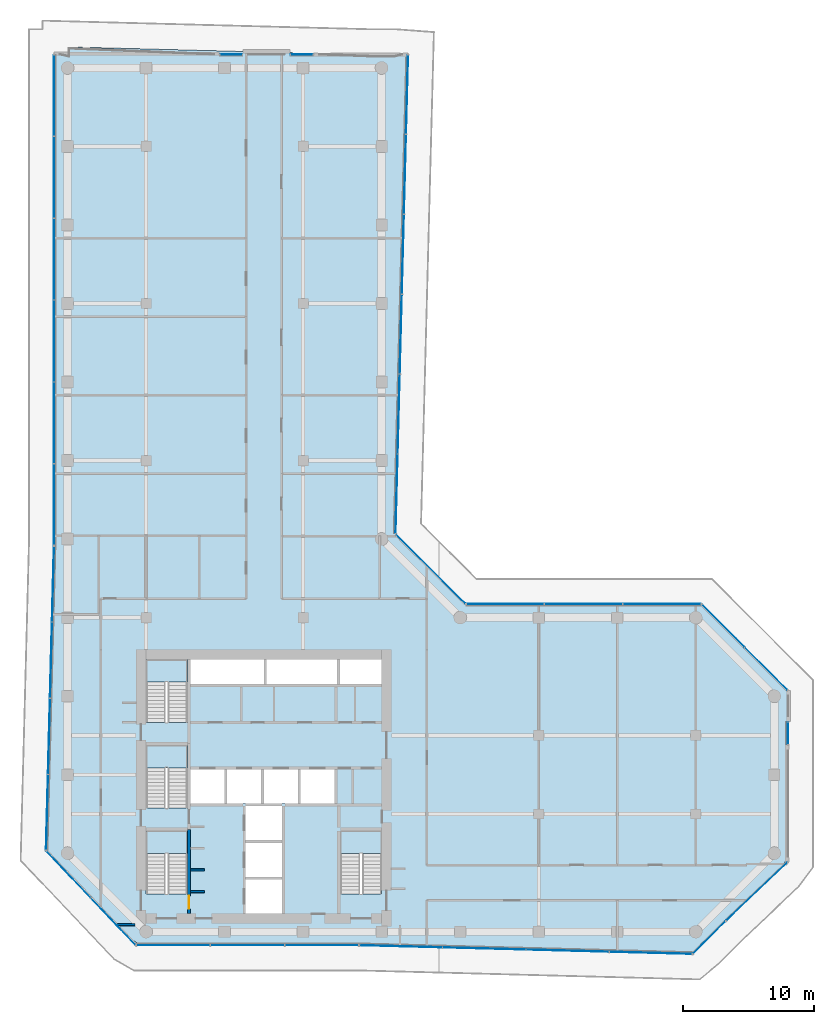
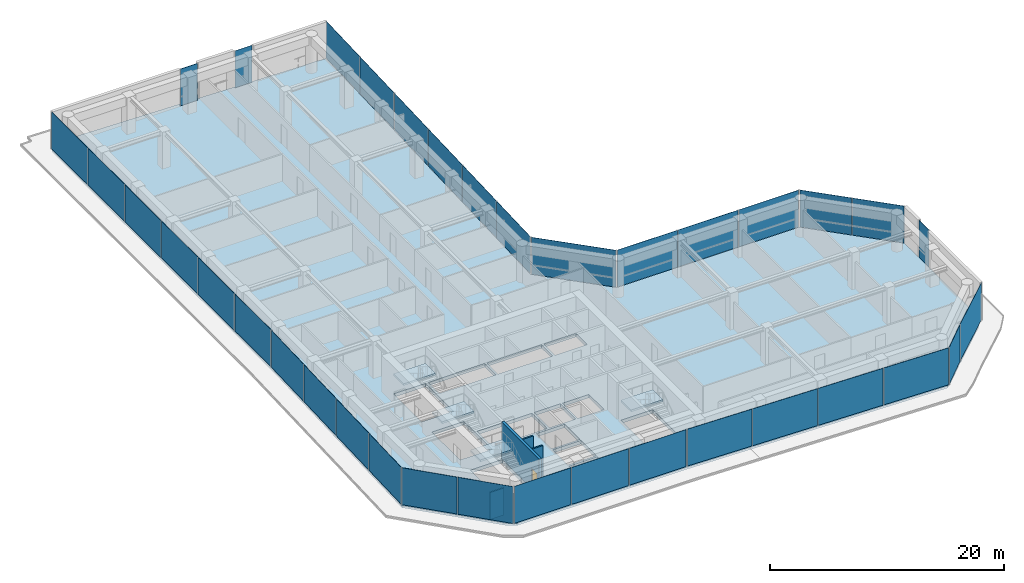
# One storey, part 17 of 23: 36 plates, 5 slabs, 4 walls, 1 door, 1 opening, 18 elements without a shape of their own.
"""IFC4 building model written with IfcOpenShell, lengths in metres."""

from ifc_helpers import new_model, si_unit, direction, frame, frame_2d, origin, origin_2d, place, context, subcontext, project, spatial, polyline, rectangle, outline, extrude, material, layer, layer_set, type_object, element, fill, aggregate, save


model = new_model("IFC4")

# Units and contexts
model_context = context("Model", 3, precision=1e-05, world=origin(), true_north=direction((0.0, 1.0)))
body_context = subcontext(model_context, "Body", "Model", "MODEL_VIEW")
ifc_project = project(units=[si_unit("LENGTHUNIT", "METRE"), si_unit("AREAUNIT", "SQUARE_METRE"), si_unit("VOLUMEUNIT", "CUBIC_METRE"), si_unit("PLANEANGLEUNIT", "RADIAN"), si_unit("MASSUNIT", "GRAM", prefix="KILO")], contexts=[model_context])

# Site, building, storey
site_placement = place(None, origin())
site = spatial("IfcSite", under=ifc_project, at=site_placement, CompositionType="ELEMENT")
building_placement = place(site_placement, origin())
building = spatial("IfcBuilding", under=site, at=building_placement, Name="Welwitschia Terrace Campus", CompositionType="ELEMENT")
storey_placement = place(building_placement, frame((0.0, 0.0, 117.199951171875)))
storey = spatial("IfcBuildingStorey", under=building, at=storey_placement, Name="L26", CompositionType="ELEMENT", Elevation=117.199951171875)

# Curtain wall, plates
ifc_material_1 = material(Name="Bronze anodised aluminium", Category="aluminium")
ifc_layer_1 = layer(ifc_material_1, 0.1201171875)
ifc_layer_set_1 = layer_set([ifc_layer_1], Name="Bronze anodised aluminium")
curtain_wall_type = type_object("IfcCurtainWallType", Name="Curtain wall CW2 tower 6000", PredefinedType="NOTDEFINED", material=ifc_layer_set_1)
curtain_wall_1_placement = place(storey_placement, origin())
curtain_wall_1 = element("IfcCurtainWall", 1, at=curtain_wall_1_placement, inside=storey, type_object=curtain_wall_type, Name="CW L26.0.0", PredefinedType="NOTDEFINED")
ifc_material_2 = material(Name="Tinted bronze-grey glass", Category="glass")
ifc_layer_2 = layer(ifc_material_2, 0.028076171875)
ifc_layer_set_2 = layer_set([ifc_layer_2], Name="Tinted bronze-grey glass")
plate_type = type_object("IfcPlateType", Name="Glass panel 28 tinted", PredefinedType="CURTAIN_PANEL", material=ifc_layer_set_2)
plate_1_placement = place(storey_placement, frame((-1.106689453125, 30.564453125, 0.0), z_axis=(0.0, 0.0, 1.0), x_axis=(-0.026176948308, -0.999657324976, 0.0)))
plate_1 = element("IfcPlate", 2, at=plate_1_placement, type_object=plate_type, Name="Panel L26.0.0.0", PredefinedType="CURTAIN_PANEL", context=body_context, shape_type="SweptSolid", body=[
    extrude(rectangle(XDim=5.734130859375, YDim=0.028076171875, at=origin_2d()), origin(), (0.0, 0.0, 1.0), 3.85009765625),
])
plate_2_placement = place(storey_placement, frame((-1.2587890625, 24.75732421875, 0.0), z_axis=(0.0, 0.0, 1.0), x_axis=(-0.026176948308, -0.999657324976, 0.0)))
plate_2 = element("IfcPlate", 3, at=plate_2_placement, type_object=plate_type, Name="Panel L26.0.0.1", PredefinedType="CURTAIN_PANEL", context=body_context, shape_type="SweptSolid", body=[
    extrude(rectangle(XDim=5.76416015625, YDim=0.028076171875, at=origin_2d()), origin(), (0.0, 0.0, 1.0), 3.85009765625),
])
plate_3_placement = place(storey_placement, frame((-1.4111328125, 18.935302734375, 0.0), z_axis=(0.0, 0.0, 1.0), x_axis=(-0.026176948308, -0.999657324976, 0.0)))
plate_3 = element("IfcPlate", 4, at=plate_3_placement, type_object=plate_type, Name="Panel L26.0.0.2", PredefinedType="CURTAIN_PANEL", context=body_context, shape_type="SweptSolid", body=[
    extrude(rectangle(XDim=5.76416015625, YDim=0.028076171875, at=origin_2d()), origin(), (0.0, 0.0, 1.0), 3.85009765625),
])
plate_4_placement = place(storey_placement, frame((-1.563232421875, 13.128173828125, 0.0), z_axis=(0.0, 0.0, 1.0), x_axis=(-0.026176948308, -0.999657324976, 0.0)))
plate_4 = element("IfcPlate", 5, at=plate_4_placement, type_object=plate_type, Name="Panel L26.0.0.3", PredefinedType="CURTAIN_PANEL", context=body_context, shape_type="SweptSolid", body=[
    extrude(rectangle(XDim=5.734130859375, YDim=0.028076171875, at=origin_2d()), origin(), (0.0, 0.0, 1.0), 3.85009765625),
])
aggregate(curtain_wall_1, [plate_1, plate_2, plate_3, plate_4])

curtain_wall_2_placement = place(storey_placement, origin())
curtain_wall_2 = element("IfcCurtainWall", 6, at=curtain_wall_2_placement, inside=storey, type_object=curtain_wall_type, Name="CW L26.1.0", PredefinedType="NOTDEFINED")
plate_5_placement = place(storey_placement, frame((0.086181640625, 8.383056640625, 0.0), z_axis=(0.0, 0.0, 1.0), x_axis=(0.688354575694, -0.725374371012, 0.0)))
plate_5 = element("IfcPlate", 7, at=plate_5_placement, type_object=plate_type, Name="Panel L26.1.0.0", PredefinedType="CURTAIN_PANEL", context=body_context, shape_type="SweptSolid", body=[
    extrude(rectangle(XDim=4.89501953125, YDim=0.028076171875, at=origin_2d()), origin(), (0.0, 0.0, 1.0), 3.85009765625),
])
plate_6_placement = place(storey_placement, frame((3.4970703125, 4.788818359375, 0.0), z_axis=(0.0, 0.0, 1.0), x_axis=(0.688354575694, -0.725374371012, 0.0)))
plate_6 = element("IfcPlate", 8, at=plate_6_placement, type_object=plate_type, Name="Panel L26.1.0.1", PredefinedType="CURTAIN_PANEL", context=body_context, shape_type="SweptSolid", body=[
    extrude(rectangle(XDim=4.89501953125, YDim=0.028076171875, at=origin_2d()), origin(), (0.0, 0.0, 1.0), 3.85009765625),
])
aggregate(curtain_wall_2, [plate_5, plate_6])

curtain_wall_3_placement = place(storey_placement, origin())
curtain_wall_3 = element("IfcCurtainWall", 9, at=curtain_wall_3_placement, inside=storey, type_object=curtain_wall_type, Name="CW L26.2.0", PredefinedType="NOTDEFINED")
plate_7_placement = place(storey_placement, frame((8.08154296875, 2.969970703125, 0.0), z_axis=(0.0, 0.0, 1.0), x_axis=(1.0, 0.0, 0.0)))
plate_7 = element("IfcPlate", 10, at=plate_7_placement, type_object=plate_type, Name="Panel L26.2.0.0", PredefinedType="CURTAIN_PANEL", context=body_context, shape_type="SweptSolid", body=[
    extrude(rectangle(XDim=5.5966796875, YDim=0.028076171875, at=origin_2d()), origin(), (0.0, 0.0, 1.0), 3.85009765625),
])
plate_8_placement = place(storey_placement, frame((13.753173828125, 2.969970703125, 0.0), z_axis=(0.0, 0.0, 1.0), x_axis=(1.0, 0.0, 0.0)))
plate_8 = element("IfcPlate", 11, at=plate_8_placement, type_object=plate_type, Name="Panel L26.2.0.1", PredefinedType="CURTAIN_PANEL", context=body_context, shape_type="SweptSolid", body=[
    extrude(rectangle(XDim=5.626708984375, YDim=0.028076171875, at=origin_2d()), origin(), (0.0, 0.0, 1.0), 3.85009765625),
])
plate_9_placement = place(storey_placement, frame((19.425048828125, 2.969970703125, 0.0), z_axis=(0.0, 0.0, 1.0), x_axis=(1.0, 0.0, 0.0)))
plate_9 = element("IfcPlate", 12, at=plate_9_placement, type_object=plate_type, Name="Panel L26.2.0.2", PredefinedType="CURTAIN_PANEL", context=body_context, shape_type="SweptSolid", body=[
    extrude(rectangle(XDim=5.5966796875, YDim=0.028076171875, at=origin_2d()), origin(), (0.0, 0.0, 1.0), 3.85009765625),
])
aggregate(curtain_wall_3, [plate_7, plate_8, plate_9])

curtain_wall_4_placement = place(storey_placement, origin())
curtain_wall_4 = element("IfcCurtainWall", 13, at=curtain_wall_4_placement, inside=storey, type_object=curtain_wall_type, Name="CW L26.3.0", PredefinedType="NOTDEFINED")
plate_10_placement = place(storey_placement, frame((25.48291015625, 2.88623046875, 0.0), z_axis=(0.0, 0.0, 1.0), x_axis=(0.999657324976, -0.026176948308, 0.0)))
plate_10 = element("IfcPlate", 14, at=plate_10_placement, type_object=plate_type, Name="Panel L26.3.0.0", PredefinedType="CURTAIN_PANEL", context=body_context, shape_type="SweptSolid", body=[
    extrude(rectangle(XDim=6.28125, YDim=0.028076171875, at=origin_2d()), origin(), (0.0, 0.0, 1.0), 3.85009765625),
])
plate_11_placement = place(storey_placement, frame((31.8369140625, 2.7197265625, 0.0), z_axis=(0.0, 0.0, 1.0), x_axis=(0.999657324976, -0.026176948308, 0.0)))
plate_11 = element("IfcPlate", 15, at=plate_11_placement, type_object=plate_type, Name="Panel L26.3.0.1", PredefinedType="CURTAIN_PANEL", context=body_context, shape_type="SweptSolid", body=[
    extrude(rectangle(XDim=6.311279296875, YDim=0.028076171875, at=origin_2d()), origin(), (0.0, 0.0, 1.0), 3.85009765625),
])
plate_12_placement = place(storey_placement, frame((38.2060546875, 2.552978515625, 0.0), z_axis=(0.0, 0.0, 1.0), x_axis=(0.999657324976, -0.026176948308, 0.0)))
plate_12 = element("IfcPlate", 16, at=plate_12_placement, type_object=plate_type, Name="Panel L26.3.0.2", PredefinedType="CURTAIN_PANEL", context=body_context, shape_type="SweptSolid", body=[
    extrude(rectangle(XDim=6.311279296875, YDim=0.028076171875, at=origin_2d()), origin(), (0.0, 0.0, 1.0), 3.85009765625),
])
plate_13_placement = place(storey_placement, frame((44.56005859375, 2.38671875, 0.0), z_axis=(0.0, 0.0, 1.0), x_axis=(0.999657324976, -0.026176948308, 0.0)))
plate_13 = element("IfcPlate", 17, at=plate_13_placement, type_object=plate_type, Name="Panel L26.3.0.3", PredefinedType="CURTAIN_PANEL", context=body_context, shape_type="SweptSolid", body=[
    extrude(rectangle(XDim=6.28125, YDim=0.028076171875, at=origin_2d()), origin(), (0.0, 0.0, 1.0), 3.85009765625),
])
aggregate(curtain_wall_4, [plate_10, plate_11, plate_12, plate_13])

# Curtain wall, plate
curtain_wall_5_placement = place(storey_placement, origin())
curtain_wall_5 = element("IfcCurtainWall", 18, at=curtain_wall_5_placement, inside=storey, type_object=curtain_wall_type, Name="CW L26.4.0", PredefinedType="NOTDEFINED")
plate_14_placement = place(storey_placement, frame((49.025634765625, 3.56884765625, 0.0), z_axis=(0.0, 0.0, 1.0), x_axis=(0.707106781187, 0.707106781187, 0.0)))
plate_14 = element("IfcPlate", 19, at=plate_14_placement, type_object=plate_type, Name="Panel L26.4.0.0", PredefinedType="CURTAIN_PANEL", context=body_context, shape_type="SweptSolid", body=[
    extrude(rectangle(XDim=3.4609375, YDim=0.028076171875, at=origin_2d()), origin(), (0.0, 0.0, 1.0), 3.85009765625),
])
aggregate(curtain_wall_5, [plate_14])

curtain_wall_6_placement = place(storey_placement, origin())
curtain_wall_6 = element("IfcCurtainWall", 20, at=curtain_wall_6_placement, inside=storey, type_object=curtain_wall_type, Name="CW L26.5.0", PredefinedType="NOTDEFINED")
plate_15_placement = place(storey_placement, frame((52.660888671875, 7.083251953125, 0.0), z_axis=(0.0, 0.0, 1.0), x_axis=(0.725374371012, 0.688354575694, 0.0)))
plate_15 = element("IfcPlate", 21, at=plate_15_placement, type_object=plate_type, Name="Panel L26.5.0.0", PredefinedType="CURTAIN_PANEL", context=body_context, shape_type="SweptSolid", body=[
    extrude(rectangle(XDim=6.412353515625, YDim=0.028076171875, at=origin_2d()), origin(), (0.0, 0.0, 1.0), 3.85009765625),
])
aggregate(curtain_wall_6, [plate_15])

curtain_wall_7_placement = place(storey_placement, origin())
curtain_wall_7 = element("IfcCurtainWall", 22, at=curtain_wall_7_placement, inside=storey, type_object=curtain_wall_type, Name="CW L26.6.S0", PredefinedType="NOTDEFINED")
plate_16_placement = place(storey_placement, frame((55.030029296875, 19.15283203125, 0.0), z_axis=(0.0, 0.0, 1.0), x_axis=(0.0, 1.0, 0.0)))
plate_16 = element("IfcPlate", 23, at=plate_16_placement, type_object=plate_type, Name="Panel L26.6.S0.0", PredefinedType="CURTAIN_PANEL", context=body_context, shape_type="SweptSolid", body=[
    extrude(rectangle(XDim=1.679931640625, YDim=0.028076171875, at=origin_2d()), origin(), (0.0, 0.0, 1.0), 3.85009765625),
])
aggregate(curtain_wall_7, [plate_16])

# Curtain wall, plates
curtain_wall_8_placement = place(storey_placement, origin())
curtain_wall_8 = element("IfcCurtainWall", 24, at=curtain_wall_8_placement, inside=storey, type_object=curtain_wall_type, Name="CW L26.7.0", PredefinedType="NOTDEFINED")
plate_17_placement = place(storey_placement, frame((53.36865234375, 24.088134765625, 0.0), z_axis=(0.0, 0.0, 1.0), x_axis=(-0.707106781187, 0.707106781187, 0.0)))
plate_17 = element("IfcPlate", 25, at=plate_17_placement, type_object=plate_type, Name="Panel L26.7.0.0", PredefinedType="CURTAIN_PANEL", context=body_context, shape_type="SweptSolid", body=[
    extrude(rectangle(XDim=4.579345703125, YDim=0.028076171875, at=origin_2d()), origin(), (0.0, 0.0, 1.0), 3.85009765625),
])
plate_18_placement = place(storey_placement, frame((50.088134765625, 27.36865234375, 0.0), z_axis=(0.0, 0.0, 1.0), x_axis=(-0.707106781187, 0.707106781187, 0.0)))
plate_18 = element("IfcPlate", 26, at=plate_18_placement, type_object=plate_type, Name="Panel L26.7.0.1", PredefinedType="CURTAIN_PANEL", context=body_context, shape_type="SweptSolid", body=[
    extrude(rectangle(XDim=4.579345703125, YDim=0.028076171875, at=origin_2d()), origin(), (0.0, 0.0, 1.0), 3.85009765625),
])
aggregate(curtain_wall_8, [plate_17, plate_18])

curtain_wall_9_placement = place(storey_placement, origin())
curtain_wall_9 = element("IfcCurtainWall", 27, at=curtain_wall_9_placement, inside=storey, type_object=curtain_wall_type, Name="CW L26.8.0", PredefinedType="NOTDEFINED")
plate_19_placement = place(storey_placement, frame((45.41162109375, 29.030029296875, 0.0), z_axis=(0.0, 0.0, 1.0), x_axis=(-1.0, 0.0, 0.0)))
plate_19 = element("IfcPlate", 28, at=plate_19_placement, type_object=plate_type, Name="Panel L26.8.0.0", PredefinedType="CURTAIN_PANEL", context=body_context, shape_type="SweptSolid", body=[
    extrude(rectangle(XDim=5.909912109375, YDim=0.028076171875, at=origin_2d()), origin(), (0.0, 0.0, 1.0), 3.85009765625),
])
plate_20_placement = place(storey_placement, frame((39.4267578125, 29.030029296875, 0.0), z_axis=(0.0, 0.0, 1.0), x_axis=(-1.0, 0.0, 0.0)))
plate_20 = element("IfcPlate", 29, at=plate_20_placement, type_object=plate_type, Name="Panel L26.8.0.1", PredefinedType="CURTAIN_PANEL", context=body_context, shape_type="SweptSolid", body=[
    extrude(rectangle(XDim=5.93994140625, YDim=0.028076171875, at=origin_2d()), origin(), (0.0, 0.0, 1.0), 3.85009765625),
])
plate_21_placement = place(storey_placement, frame((33.441650390625, 29.030029296875, 0.0), z_axis=(0.0, 0.0, 1.0), x_axis=(-1.0, 0.0, 0.0)))
plate_21 = element("IfcPlate", 30, at=plate_21_placement, type_object=plate_type, Name="Panel L26.8.0.2", PredefinedType="CURTAIN_PANEL", context=body_context, shape_type="SweptSolid", body=[
    extrude(rectangle(XDim=5.909912109375, YDim=0.028076171875, at=origin_2d()), origin(), (0.0, 0.0, 1.0), 3.85009765625),
])
aggregate(curtain_wall_9, [plate_19, plate_20, plate_21])

# Curtain wall, plate
curtain_wall_10_placement = place(storey_placement, origin())
curtain_wall_10 = element("IfcCurtainWall", 31, at=curtain_wall_10_placement, inside=storey, type_object=curtain_wall_type, Name="CW L26.9.0", PredefinedType="NOTDEFINED")
plate_22_placement = place(storey_placement, frame((27.74462890625, 31.7119140625, 0.0), z_axis=(0.0, 0.0, 1.0), x_axis=(-0.707106781187, 0.707106781187, 0.0)))
plate_22 = element("IfcPlate", 32, at=plate_22_placement, type_object=plate_type, Name="Panel L26.9.0.0", PredefinedType="CURTAIN_PANEL", context=body_context, shape_type="SweptSolid", body=[
    extrude(rectangle(XDim=7.4658203125, YDim=0.028076171875, at=origin_2d()), origin(), (0.0, 0.0, 1.0), 3.85009765625),
])
aggregate(curtain_wall_10, [plate_22])

# Curtain wall, plates
curtain_wall_11_placement = place(storey_placement, origin())
curtain_wall_11 = element("IfcCurtainWall", 33, at=curtain_wall_11_placement, inside=storey, type_object=curtain_wall_type, Name="CW L26.10.0", PredefinedType="NOTDEFINED")
plate_23_placement = place(storey_placement, frame((25.142822265625, 37.462158203125, 0.0), z_axis=(0.0, 0.0, 1.0), x_axis=(0.026176948308, 0.999657324976, 0.0)))
plate_23 = element("IfcPlate", 34, at=plate_23_placement, type_object=plate_type, Name="Panel L26.10.0.0", PredefinedType="CURTAIN_PANEL", context=body_context, shape_type="SweptSolid", body=[
    extrude(rectangle(XDim=6.01806640625, YDim=0.028076171875, at=origin_2d()), origin(), (0.0, 0.0, 1.0), 3.85009765625),
])
plate_24_placement = place(storey_placement, frame((25.302490234375, 43.552978515625, 0.0), z_axis=(0.0, 0.0, 1.0), x_axis=(0.026176948308, 0.999657324976, 0.0)))
plate_24 = element("IfcPlate", 35, at=plate_24_placement, type_object=plate_type, Name="Panel L26.10.0.1", PredefinedType="CURTAIN_PANEL", context=body_context, shape_type="SweptSolid", body=[
    extrude(rectangle(XDim=6.048095703125, YDim=0.028076171875, at=origin_2d()), origin(), (0.0, 0.0, 1.0), 3.85009765625),
])
plate_25_placement = place(storey_placement, frame((25.46240234375, 49.658935546875, 0.0), z_axis=(0.0, 0.0, 1.0), x_axis=(0.026176948308, 0.999657324976, 0.0)))
plate_25 = element("IfcPlate", 36, at=plate_25_placement, type_object=plate_type, Name="Panel L26.10.0.2", PredefinedType="CURTAIN_PANEL", context=body_context, shape_type="SweptSolid", body=[
    extrude(rectangle(XDim=6.048095703125, YDim=0.028076171875, at=origin_2d()), origin(), (0.0, 0.0, 1.0), 3.85009765625),
])
plate_26_placement = place(storey_placement, frame((25.622314453125, 55.76513671875, 0.0), z_axis=(0.0, 0.0, 1.0), x_axis=(0.026176948308, 0.999657324976, 0.0)))
plate_26 = element("IfcPlate", 37, at=plate_26_placement, type_object=plate_type, Name="Panel L26.10.0.3", PredefinedType="CURTAIN_PANEL", context=body_context, shape_type="SweptSolid", body=[
    extrude(rectangle(XDim=6.048095703125, YDim=0.028076171875, at=origin_2d()), origin(), (0.0, 0.0, 1.0), 3.85009765625),
])
plate_27_placement = place(storey_placement, frame((25.781982421875, 61.87109375, 0.0), z_axis=(0.0, 0.0, 1.0), x_axis=(0.026176948308, 0.999657324976, 0.0)))
plate_27 = element("IfcPlate", 38, at=plate_27_placement, type_object=plate_type, Name="Panel L26.10.0.4", PredefinedType="CURTAIN_PANEL", context=body_context, shape_type="SweptSolid", body=[
    extrude(rectangle(XDim=6.048095703125, YDim=0.028076171875, at=origin_2d()), origin(), (0.0, 0.0, 1.0), 3.85009765625),
])
plate_28_placement = place(storey_placement, frame((25.941650390625, 67.9619140625, 0.0), z_axis=(0.0, 0.0, 1.0), x_axis=(0.026176948308, 0.999657324976, 0.0)))
plate_28 = element("IfcPlate", 39, at=plate_28_placement, type_object=plate_type, Name="Panel L26.10.0.5", PredefinedType="CURTAIN_PANEL", context=body_context, shape_type="SweptSolid", body=[
    extrude(rectangle(XDim=6.01806640625, YDim=0.028076171875, at=origin_2d()), origin(), (0.0, 0.0, 1.0), 3.85009765625),
])
aggregate(curtain_wall_11, [plate_23, plate_24, plate_25, plate_26, plate_27, plate_28])

# Curtain wall, plate
curtain_wall_12_placement = place(storey_placement, origin())
curtain_wall_12 = element("IfcCurtainWall", 40, at=curtain_wall_12_placement, inside=storey, type_object=curtain_wall_type, Name="CW L26.11.S0", PredefinedType="NOTDEFINED")
plate_29_placement = place(storey_placement, frame((17.90625, 71.030029296875, 0.0), z_axis=(0.0, 0.0, 1.0), x_axis=(-1.0, 0.0, 0.0)))
plate_29 = element("IfcPlate", 41, at=plate_29_placement, type_object=plate_type, Name="Panel L26.11.S0.0", PredefinedType="CURTAIN_PANEL", context=body_context, shape_type="SweptSolid", body=[
    extrude(rectangle(XDim=1.679931640625, YDim=0.028076171875, at=origin_2d()), origin(), (0.0, 0.0, 1.0), 3.85009765625),
])
aggregate(curtain_wall_12, [plate_29])

curtain_wall_13_placement = place(storey_placement, origin())
curtain_wall_13 = element("IfcCurtainWall", 42, at=curtain_wall_13_placement, inside=storey, type_object=curtain_wall_type, Name="CW L26.11.S1", PredefinedType="NOTDEFINED")
plate_30_placement = place(storey_placement, frame((12.495849609375, 71.030029296875, 0.0), z_axis=(0.0, 0.0, 1.0), x_axis=(-1.0, 0.0, 0.0)))
plate_30 = element("IfcPlate", 43, at=plate_30_placement, type_object=plate_type, Name="Panel L26.11.S1.0", PredefinedType="CURTAIN_PANEL", context=body_context, shape_type="SweptSolid", body=[
    extrude(rectangle(XDim=1.679931640625, YDim=0.028076171875, at=origin_2d()), origin(), (0.0, 0.0, 1.0), 3.85009765625),
])
aggregate(curtain_wall_13, [plate_30])

# Curtain wall, plates
curtain_wall_14_placement = place(storey_placement, origin())
curtain_wall_14 = element("IfcCurtainWall", 44, at=curtain_wall_14_placement, inside=storey, type_object=curtain_wall_type, Name="CW L26.12.0", PredefinedType="NOTDEFINED")
plate_31_placement = place(storey_placement, frame((-1.030029296875, 67.88671875, 0.0), z_axis=(0.0, 0.0, 1.0), x_axis=(0.0, -1.0, 0.0)))
plate_31 = element("IfcPlate", 45, at=plate_31_placement, type_object=plate_type, Name="Panel L26.12.0.0", PredefinedType="CURTAIN_PANEL", context=body_context, shape_type="SweptSolid", body=[
    extrude(rectangle(XDim=6.16650390625, YDim=0.028076171875, at=origin_2d()), origin(), (0.0, 0.0, 1.0), 3.85009765625),
])
plate_32_placement = place(storey_placement, frame((-1.030029296875, 61.645263671875, 0.0), z_axis=(0.0, 0.0, 1.0), x_axis=(0.0, -1.0, 0.0)))
plate_32 = element("IfcPlate", 46, at=plate_32_placement, type_object=plate_type, Name="Panel L26.12.0.1", PredefinedType="CURTAIN_PANEL", context=body_context, shape_type="SweptSolid", body=[
    extrude(rectangle(XDim=6.196533203125, YDim=0.028076171875, at=origin_2d()), origin(), (0.0, 0.0, 1.0), 3.85009765625),
])
plate_33_placement = place(storey_placement, frame((-1.030029296875, 55.388671875, 0.0), z_axis=(0.0, 0.0, 1.0), x_axis=(0.0, -1.0, 0.0)))
plate_33 = element("IfcPlate", 47, at=plate_33_placement, type_object=plate_type, Name="Panel L26.12.0.2", PredefinedType="CURTAIN_PANEL", context=body_context, shape_type="SweptSolid", body=[
    extrude(rectangle(XDim=6.196533203125, YDim=0.028076171875, at=origin_2d()), origin(), (0.0, 0.0, 1.0), 3.85009765625),
])
plate_34_placement = place(storey_placement, frame((-1.030029296875, 49.132080078125, 0.0), z_axis=(0.0, 0.0, 1.0), x_axis=(0.0, -1.0, 0.0)))
plate_34 = element("IfcPlate", 48, at=plate_34_placement, type_object=plate_type, Name="Panel L26.12.0.3", PredefinedType="CURTAIN_PANEL", context=body_context, shape_type="SweptSolid", body=[
    extrude(rectangle(XDim=6.196533203125, YDim=0.028076171875, at=origin_2d()), origin(), (0.0, 0.0, 1.0), 3.85009765625),
])
plate_35_placement = place(storey_placement, frame((-1.030029296875, 42.87548828125, 0.0), z_axis=(0.0, 0.0, 1.0), x_axis=(0.0, -1.0, 0.0)))
plate_35 = element("IfcPlate", 49, at=plate_35_placement, type_object=plate_type, Name="Panel L26.12.0.4", PredefinedType="CURTAIN_PANEL", context=body_context, shape_type="SweptSolid", body=[
    extrude(rectangle(XDim=6.196533203125, YDim=0.028076171875, at=origin_2d()), origin(), (0.0, 0.0, 1.0), 3.85009765625),
])
plate_36_placement = place(storey_placement, frame((-1.030029296875, 36.6337890625, 0.0), z_axis=(0.0, 0.0, 1.0), x_axis=(0.0, -1.0, 0.0)))
plate_36 = element("IfcPlate", 50, at=plate_36_placement, type_object=plate_type, Name="Panel L26.12.0.5", PredefinedType="CURTAIN_PANEL", context=body_context, shape_type="SweptSolid", body=[
    extrude(rectangle(XDim=6.16650390625, YDim=0.028076171875, at=origin_2d()), origin(), (0.0, 0.0, 1.0), 3.85009765625),
])
aggregate(curtain_wall_14, [plate_31, plate_32, plate_33, plate_34, plate_35, plate_36])

# Stair, slab
ifc_material_3 = material(Name="Concrete C40/50", Category="concrete")
stair_type = type_object("IfcStairType", Name="Stair 24R 175 W1500", PredefinedType="HALF_TURN_STAIR", material=ifc_material_3)
stair_1_placement = place(storey_placement, origin())
stair_1 = element("IfcStair", 51, at=stair_1_placement, inside=storey, type_object=stair_type, Name="L26 Exit stair S1", PredefinedType="HALF_TURN_STAIR")
ifc_material_4 = material(Name="Concrete C40/50", Category="concrete")
ifc_layer_3 = layer(ifc_material_4, 0.199951171875)
ifc_layer_set_3 = layer_set([ifc_layer_3], Name="Concrete C40/50")
slab_type_1 = type_object("IfcSlabType", Name="Stair landing RC", PredefinedType="LANDING", material=ifc_layer_set_3)
slab_1_placement = place(storey_placement, frame((0.0, 0.0, 1.900146484375)))
slab_1 = element("IfcSlab", 52, at=slab_1_placement, type_object=slab_type_1, Name="S1 landing 1", PredefinedType="LANDING", context=body_context, shape_type="SweptSolid", body=[
    extrude(outline(polyline([(9.14990234375, 9.97998046875), (9.14990234375, 11.699951171875), (6.0, 11.699951171875), (6.0, 9.97998046875), (9.14990234375, 9.97998046875)])), origin(), (0.0, 0.0, 1.0), 0.199951171875),
])
aggregate(stair_1, [slab_1])

stair_2_placement = place(storey_placement, origin())
stair_2 = element("IfcStair", 53, at=stair_2_placement, inside=storey, type_object=stair_type, Name="L26 Exit stair S3", PredefinedType="HALF_TURN_STAIR")
slab_2_placement = place(storey_placement, frame((0.0, 0.0, 1.900146484375)))
slab_2 = element("IfcSlab", 54, at=slab_2_placement, type_object=slab_type_1, Name="S3 landing 1", PredefinedType="LANDING", context=body_context, shape_type="SweptSolid", body=[
    extrude(outline(polyline([(9.14990234375, 16.530029296875), (9.14990234375, 18.25), (6.0, 18.25), (6.0, 16.530029296875), (9.14990234375, 16.530029296875)])), origin(), (0.0, 0.0, 1.0), 0.199951171875),
])
aggregate(stair_2, [slab_2])

stair_3_placement = place(storey_placement, origin())
stair_3 = element("IfcStair", 55, at=stair_3_placement, inside=storey, type_object=stair_type, Name="L26 Exit stair S4", PredefinedType="HALF_TURN_STAIR")
slab_3_placement = place(storey_placement, frame((0.0, 0.0, 1.900146484375)))
slab_3 = element("IfcSlab", 56, at=slab_3_placement, type_object=slab_type_1, Name="S4 landing 1", PredefinedType="LANDING", context=body_context, shape_type="SweptSolid", body=[
    extrude(outline(polyline([(9.14990234375, 23.080078125), (9.14990234375, 24.800048828125), (6.0, 24.800048828125), (6.0, 23.080078125), (9.14990234375, 23.080078125)])), origin(), (0.0, 0.0, 1.0), 0.199951171875),
])
aggregate(stair_3, [slab_3])

stair_4_placement = place(storey_placement, origin())
stair_4 = element("IfcStair", 57, at=stair_4_placement, inside=storey, type_object=stair_type, Name="L26 Exit stair S2", PredefinedType="HALF_TURN_STAIR")
slab_4_placement = place(storey_placement, frame((0.0, 0.0, 1.900146484375)))
slab_4 = element("IfcSlab", 58, at=slab_4_placement, type_object=slab_type_1, Name="S2 landing 1", PredefinedType="LANDING", context=body_context, shape_type="SweptSolid", body=[
    extrude(outline(polyline([(24.0, 9.97998046875), (24.0, 11.699951171875), (20.85009765625, 11.699951171875), (20.85009765625, 9.97998046875), (24.0, 9.97998046875)])), origin(), (0.0, 0.0, 1.0), 0.199951171875),
])
aggregate(stair_4, [slab_4])

# Slab
ifc_material_5 = material(Name="Concrete C40/50", Category="concrete")
ifc_layer_4 = layer(ifc_material_5, 0.35009765625)
ifc_layer_set_4 = layer_set([ifc_layer_4], Name="Concrete C40/50")
slab_type_2 = type_object("IfcSlabType", Name="Suspended floor slab 350", PredefinedType="FLOOR", material=ifc_layer_set_4)
slab_5_placement = place(storey_placement, frame((0.0, 0.0, -0.349853515625)))
element("IfcSlab", 59, at=slab_5_placement, inside=storey, type_object=slab_type_2, Name="Floor slab L26", PredefinedType="FLOOR", context=body_context, shape_type="SweptSolid", body=[
    extrude(outline(polyline([(-1.0, 71.0), (-0.017822265625, 71.0), (-0.001953125, 71.60693359375), (23.174072265625, 71.0), (25.0, 71.0), (25.9892578125, 70.92626953125), (25.0322265625, 34.3818359375), (30.414306640625, 29.0), (48.414306640625, 29.0), (55.0, 22.414306640625), (55.0, 9.585693359375), (54.371337890625, 8.747802734375), (50.270751953125, 4.8564453125), (48.414306640625, 3.0), (47.615478515625, 2.336669921875), (22.283935546875, 3.0), (5.585693359375, 3.0), (4.801513671875, 3.457763671875), (-1.609619140625, 10.213623046875), (-1.0, 33.490234375), (-1.0, 71.0)]), holes=[polyline([(13.60009765625, 8.0), (13.60009765625, 5.39990234375), (16.39990234375, 5.39990234375), (16.39990234375, 8.0), (13.60009765625, 8.0)]), polyline([(9.14990234375, 11.699951171875), (6.0, 11.699951171875), (6.0, 6.902099609375), (9.14990234375, 6.902099609375), (9.14990234375, 11.699951171875)]), polyline([(12.0, 16.39990234375), (9.39990234375, 16.39990234375), (9.39990234375, 13.800048828125), (12.0, 13.800048828125), (12.0, 16.39990234375)]), polyline([(14.800048828125, 16.39990234375), (12.199951171875, 16.39990234375), (12.199951171875, 13.800048828125), (14.800048828125, 13.800048828125), (14.800048828125, 16.39990234375)]), polyline([(9.14990234375, 18.25), (6.0, 18.25), (6.0, 13.451904296875), (9.14990234375, 13.451904296875), (9.14990234375, 18.25)]), polyline([(9.14990234375, 24.800048828125), (6.0, 24.800048828125), (6.0, 20.001953125), (9.14990234375, 20.001953125), (9.14990234375, 24.800048828125)]), polyline([(15.0, 24.800048828125), (9.39990234375, 24.800048828125), (9.39990234375, 22.89990234375), (15.0, 22.89990234375), (15.0, 24.800048828125)]), polyline([(20.85009765625, 11.699951171875), (20.85009765625, 6.902099609375), (24.0, 6.902099609375), (24.0, 11.699951171875), (20.85009765625, 11.699951171875)]), polyline([(16.39990234375, 10.800048828125), (13.60009765625, 10.800048828125), (13.60009765625, 8.199951171875), (16.39990234375, 8.199951171875), (16.39990234375, 10.800048828125)]), polyline([(16.39990234375, 13.60009765625), (13.60009765625, 13.60009765625), (13.60009765625, 11.0), (16.39990234375, 11.0), (16.39990234375, 13.60009765625)]), polyline([(17.60009765625, 16.39990234375), (15.0, 16.39990234375), (15.0, 13.800048828125), (17.60009765625, 13.800048828125), (17.60009765625, 16.39990234375)]), polyline([(20.39990234375, 16.39990234375), (17.800048828125, 16.39990234375), (17.800048828125, 13.800048828125), (20.39990234375, 13.800048828125), (20.39990234375, 16.39990234375)]), polyline([(20.60009765625, 24.800048828125), (15.199951171875, 24.800048828125), (15.199951171875, 22.89990234375), (20.60009765625, 22.89990234375), (20.60009765625, 24.800048828125)]), polyline([(24.0, 24.800048828125), (20.800048828125, 24.800048828125), (20.800048828125, 22.89990234375), (24.0, 22.89990234375), (24.0, 24.800048828125)])]), origin(), (0.0, 0.0, 1.0), 0.349853515625),
])

# Walls
ifc_material_6 = material(Name="Concrete C50/60", Category="concrete")
ifc_layer_5 = layer(ifc_material_6, 0.14990234375)
ifc_layer_set_5 = layer_set([ifc_layer_5], Name="Concrete C50/60")
wall_type_1 = type_object("IfcWallType", Name="Core wall 150 Concrete C50/60", PredefinedType="SHEAR", material=ifc_layer_set_5)
for number, where, z_axis, x_axis, name in (
    (60, (9.39990234375, 7.074951171875, 0.0), (0.0, 0.0, 1.0), (1.0, 0.0, 0.0), "Core wall"),
    (61, (9.39990234375, 8.72509765625, 0.0), (0.0, 0.0, 1.0), (1.0, 0.0, 0.0), "Core wall"),
):
    element("IfcWall", number, at=place(storey_placement, frame(where, z_axis=z_axis, x_axis=x_axis)), inside=storey, type_object=wall_type_1, Name=name, PredefinedType="SHEAR", context=body_context, shape_type="SweptSolid", body=[
        extrude(rectangle(XDim=1.050048828125, YDim=0.14990234375, at=frame_2d((0.52490234375, 0.0))), origin(), (0.0, 0.0, 1.0), 3.85009765625),
    ])

# Wall, opening, door
ifc_material_7 = material(Name="Concrete C50/60", Category="concrete")
ifc_layer_6 = layer(ifc_material_7, 0.25)
ifc_layer_set_6 = layer_set([ifc_layer_6], Name="Concrete C50/60")
wall_type_2 = type_object("IfcWallType", Name="Core wall 250 Concrete C50/60", PredefinedType="SHEAR", material=ifc_layer_set_6)
wall_1_placement = place(storey_placement, frame((9.27490234375, 11.824951171875, 0.0), z_axis=(0.0, 0.0, 1.0), x_axis=(0.0, -1.0, 0.0)))
wall_1 = element("IfcWall", 62, at=wall_1_placement, inside=storey, type_object=wall_type_2, Name="Core wall", PredefinedType="SHEAR", context=body_context, shape_type="SweptSolid", body=[
    extrude(rectangle(XDim=6.425048828125, YDim=0.25, at=frame_2d((3.21240234375, 0.0))), origin(), (0.0, 0.0, 1.0), 3.85009765625),
])
opening_placement = place(wall_1_placement, frame((5.074951171875, 0.0, 0.0)))
opening = element("IfcOpeningElement", 63, at=opening_placement, cuts=wall_1, Name="Opening DS10", PredefinedType="OPENING", context=body_context, shape_type="SweptSolid", body=[
    extrude(rectangle(XDim=1.0, YDim=2.10009765625, at=frame_2d((0.5, 1.050048828125))), frame((0.0, 0.135009765625, 0.0), z_axis=(0.0, -1.0, 0.0), x_axis=(1.0, 0.0, 0.0)), (0.0, 0.0, 1.0), 0.27001953125),
])
ifc_material_8 = material(Name="Steel S275", Category="steel")
door_type = type_object("IfcDoorType", Name="Core door DS10", OperationType="SINGLE_SWING_LEFT", PredefinedType="DOOR", material=ifc_material_8)
door_placement = place(opening_placement, origin())
door = element("IfcDoor", 64, at=door_placement, inside=storey, type_object=door_type, Name="Door S1-FL", OperationType="SINGLE_SWING_RIGHT", OverallHeight=2.10009765625, OverallWidth=1.0, PredefinedType="DOOR", context=body_context, shape_type="SweptSolid", body=[
    extrude(rectangle(XDim=1.0, YDim=2.10009765625, at=frame_2d((0.5, 1.050048828125))), frame((0.0, 0.02490234375, 0.0), z_axis=(0.0, -1.0, 0.0), x_axis=(1.0, 0.0, 0.0)), (0.0, 0.0, 1.0), 0.050048828125),
])
fill(opening, door)

# Wall
ifc_material_9 = material(Name="Gypsum board on steel studs", Category="steel")
ifc_layer_7 = layer(ifc_material_9, 0.14990234375)
ifc_layer_set_7 = layer_set([ifc_layer_7], Name="Gypsum board on steel studs")
wall_type_3 = type_object("IfcWallType", Name="Corridor partition 150 EI 30", PredefinedType="PARTITIONING", material=ifc_layer_set_7)
wall_2_placement = place(storey_placement, frame((3.7900390625, 4.550048828125, 0.0), z_axis=(0.0, 0.0, 1.0), x_axis=(1.0, 0.0, 0.0)))
element("IfcWall", 65, at=wall_2_placement, inside=storey, type_object=wall_type_3, Name="Partition", PredefinedType="PARTITIONING", context=body_context, shape_type="SweptSolid", body=[
    extrude(rectangle(XDim=1.35986328125, YDim=0.14990234375, at=frame_2d((0.679931640625, 0.0))), origin(), (0.0, 0.0, 1.0), 2.830078125),
])

save(model, "model.ifc")
